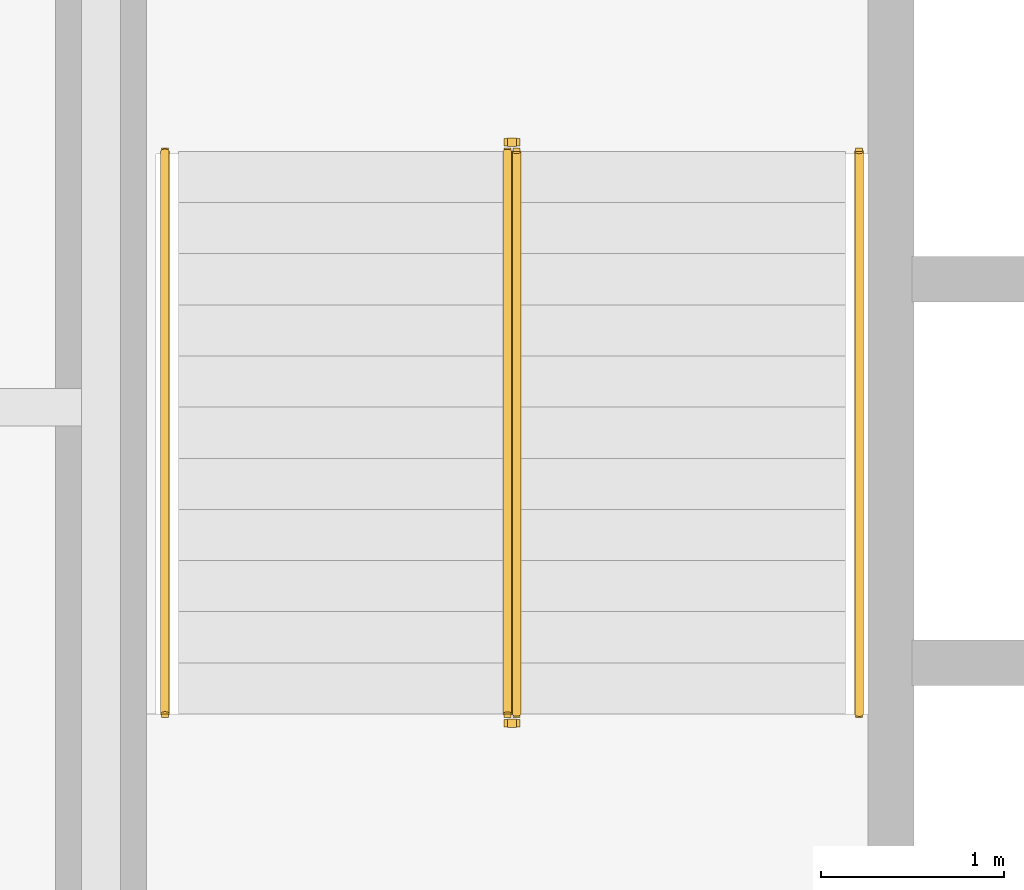
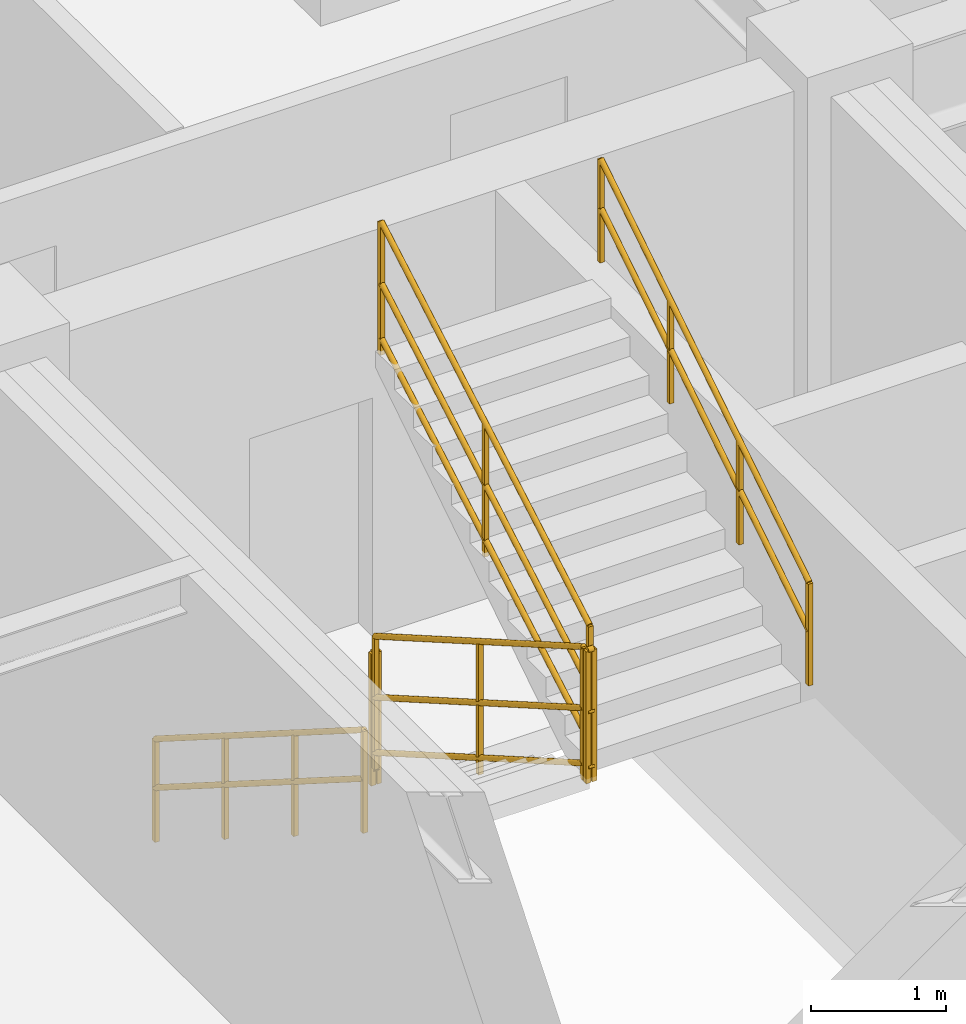
# One storey, part 11 of 11: 6 railings.
"""IFC4 building model written with IfcOpenShell, lengths in metres."""

from ifc_helpers import new_model, entity, si_unit, converted_unit, direction, frame, origin_with_axes, origin_2d_with_axis, place, context, subcontext, project, spatial, rectangle, circle, extrude, material, type_object, element, save


model = new_model("IFC4")

# Units and contexts
model_context = context("Model", 3, precision=1e-05, world=origin_with_axes(), true_north=direction((0.0, 1.0)))
body_context = subcontext(model_context, "Body", "Model", "MODEL_VIEW")
ifc_project = project(units=[si_unit("LENGTHUNIT", "METRE"), si_unit("AREAUNIT", "SQUARE_METRE"), si_unit("VOLUMEUNIT", "CUBIC_METRE"), converted_unit("PLANEANGLEUNIT", "DEGREE", entity("IfcPlaneAngleMeasure", 0.017453292519943295), si_unit("PLANEANGLEUNIT", "RADIAN"), dimensions=[0, 0, 0, 0, 0, 0, 0]), si_unit("MASSUNIT", "GRAM", prefix="KILO"), si_unit("THERMODYNAMICTEMPERATUREUNIT", "KELVIN")], contexts=[model_context])

# Site, building, storey
site_placement = place(None, origin_with_axes())
site = spatial("IfcSite", under=ifc_project, at=site_placement, CompositionType="ELEMENT")
building_placement = place(site_placement, origin_with_axes())
building = spatial("IfcBuilding", under=site, at=building_placement, Name="Varnlund Millrace Tower", CompositionType="ELEMENT")
storey_placement = place(building_placement, frame((0.0, 0.0, 196.5), z_axis=(0.0, 0.0, 1.0), x_axis=(1.0, 0.0, 0.0)))
storey = spatial("IfcBuildingStorey", under=building, at=storey_placement, Name="L48", CompositionType="ELEMENT", Elevation=196.5)

# Railings
ifc_material_1 = material(Name="Painted steel stair well balustrade guard", Category="steel")
railing_type_1 = type_object("IfcRailingType", Name="Type-StairGuard-1150", PredefinedType="GUARDRAIL", material=ifc_material_1)
railing_1_placement = place(storey_placement, frame((0.0, 0.0, -196.5), z_axis=(0.0, 0.0, 1.0), x_axis=(1.0, 0.0, 0.0)))
element("IfcRailing", 1, at=railing_1_placement, inside=storey, type_object=railing_type_1, Name="Type-StairGuard-1150", PredefinedType="GUARDRAIL", context=body_context, shape_type="SweptSolid", body=[
    extrude(circle(Radius=0.024, at=origin_2d_with_axis()), frame((13.625, 35.9, 197.827273), z_axis=(0.0, -0.866696, 0.498836), x_axis=(1.0, 0.0, 0.0)), (0.0, 0.0, 1.0), 3.553725),
    extrude(circle(Radius=0.024, at=origin_2d_with_axis()), frame((13.625, 35.9, 196.777273), z_axis=(0.0, -0.866696, 0.498836), x_axis=(1.0, 0.0, 0.0)), (0.0, 0.0, 1.0), 3.553725),
    extrude(circle(Radius=0.024, at=origin_2d_with_axis()), frame((13.625, 35.9, 197.275273), z_axis=(0.0, -0.866696, 0.498836), x_axis=(1.0, 0.0, 0.0)), (0.0, 0.0, 1.0), 3.553725),
    extrude(rectangle(XDim=0.04, YDim=0.04, at=origin_2d_with_axis()), frame((13.625, 35.9, 196.637273), z_axis=(0.0, 0.0, 1.0), x_axis=(1.0, 0.0, 0.0)), (0.0, 0.0, 1.0), 1.19),
    extrude(rectangle(XDim=0.04, YDim=0.04, at=origin_2d_with_axis()), frame((13.625, 34.36, 197.523637), z_axis=(0.0, 0.0, 1.0), x_axis=(1.0, 0.0, 0.0)), (0.0, 0.0, 1.0), 1.19),
    extrude(rectangle(XDim=0.04, YDim=0.04, at=origin_2d_with_axis()), frame((13.625, 32.82, 198.41), z_axis=(0.0, 0.0, 1.0), x_axis=(1.0, 0.0, 0.0)), (0.0, 0.0, 1.0), 1.19),
])
railing_2_placement = place(storey_placement, frame((0.0, 0.0, -196.5), z_axis=(0.0, 0.0, 1.0), x_axis=(1.0, 0.0, 0.0)))
element("IfcRailing", 2, at=railing_2_placement, inside=storey, type_object=railing_type_1, Name="Type-StairGuard-1150", PredefinedType="GUARDRAIL", context=body_context, shape_type="SweptSolid", body=[
    extrude(circle(Radius=0.024, at=origin_2d_with_axis()), frame((13.675, 32.77, 199.6), z_axis=(-1.0, 0.0, 0.0), x_axis=(0.0, -1.0, 0.0)), (0.0, 0.0, 1.0), 0.05),
    extrude(circle(Radius=0.024, at=origin_2d_with_axis()), frame((13.675, 32.77, 198.55), z_axis=(-1.0, 0.0, 0.0), x_axis=(0.0, -1.0, 0.0)), (0.0, 0.0, 1.0), 0.05),
    extrude(circle(Radius=0.024, at=origin_2d_with_axis()), frame((13.675, 32.77, 199.048), z_axis=(-1.0, 0.0, 0.0), x_axis=(0.0, -1.0, 0.0)), (0.0, 0.0, 1.0), 0.05),
    extrude(rectangle(XDim=0.04, YDim=0.04, at=origin_2d_with_axis()), frame((13.675, 32.77, 198.41), z_axis=(0.0, 0.0, 1.0), x_axis=(1.0, 0.0, 0.0)), (0.0, 0.0, 1.0), 1.19),
    extrude(rectangle(XDim=0.04, YDim=0.04, at=origin_2d_with_axis()), frame((13.625, 32.77, 198.41), z_axis=(0.0, 0.0, 1.0), x_axis=(1.0, 0.0, 0.0)), (0.0, 0.0, 1.0), 1.19),
])
railing_3_placement = place(storey_placement, frame((0.0, 0.0, -196.5), z_axis=(0.0, 0.0, 1.0), x_axis=(1.0, 0.0, 0.0)))
element("IfcRailing", 3, at=railing_3_placement, inside=storey, type_object=railing_type_1, Name="Type-StairGuard-1150", PredefinedType="GUARDRAIL", context=body_context, shape_type="SweptSolid", body=[
    extrude(circle(Radius=0.024, at=origin_2d_with_axis()), frame((13.675, 32.82, 199.777273), z_axis=(0.0, 0.866696, 0.498836), x_axis=(-1.0, 0.0, 0.0)), (0.0, 0.0, 1.0), 3.553725),
    extrude(circle(Radius=0.024, at=origin_2d_with_axis()), frame((13.675, 32.82, 198.727273), z_axis=(0.0, 0.866696, 0.498836), x_axis=(-1.0, 0.0, 0.0)), (0.0, 0.0, 1.0), 3.553725),
    extrude(circle(Radius=0.024, at=origin_2d_with_axis()), frame((13.675, 32.82, 199.225273), z_axis=(0.0, 0.866696, 0.498836), x_axis=(-1.0, 0.0, 0.0)), (0.0, 0.0, 1.0), 3.553725),
    extrude(rectangle(XDim=0.04, YDim=0.04, at=origin_2d_with_axis()), frame((13.675, 32.82, 198.587273), z_axis=(0.0, 0.0, 1.0), x_axis=(1.0, 0.0, 0.0)), (0.0, 0.0, 1.0), 1.19),
    extrude(rectangle(XDim=0.04, YDim=0.04, at=origin_2d_with_axis()), frame((13.675, 34.36, 199.473637), z_axis=(0.0, 0.0, 1.0), x_axis=(1.0, 0.0, 0.0)), (0.0, 0.0, 1.0), 1.19),
    extrude(rectangle(XDim=0.04, YDim=0.04, at=origin_2d_with_axis()), frame((13.675, 35.9, 200.36), z_axis=(0.0, 0.0, 1.0), x_axis=(1.0, 0.0, 0.0)), (0.0, 0.0, 1.0), 1.19),
])
railing_4_placement = place(storey_placement, frame((0.0, 0.0, -196.5), z_axis=(0.0, 0.0, 1.0), x_axis=(1.0, 0.0, 0.0)))
element("IfcRailing", 4, at=railing_4_placement, inside=storey, type_object=railing_type_1, Name="Type-StairGuard-1150", PredefinedType="GUARDRAIL", context=body_context, shape_type="SweptSolid", body=[
    extrude(circle(Radius=0.024, at=origin_2d_with_axis()), frame((13.675, 35.95, 197.65), z_axis=(-1.0, 0.0, 0.0), x_axis=(0.0, -1.0, 0.0)), (0.0, 0.0, 1.0), 0.05),
    extrude(circle(Radius=0.024, at=origin_2d_with_axis()), frame((13.675, 35.95, 196.6), z_axis=(-1.0, 0.0, 0.0), x_axis=(0.0, -1.0, 0.0)), (0.0, 0.0, 1.0), 0.05),
    extrude(circle(Radius=0.024, at=origin_2d_with_axis()), frame((13.675, 35.95, 197.098), z_axis=(-1.0, 0.0, 0.0), x_axis=(0.0, -1.0, 0.0)), (0.0, 0.0, 1.0), 0.05),
    extrude(rectangle(XDim=0.04, YDim=0.04, at=origin_2d_with_axis()), frame((13.675, 35.95, 196.46), z_axis=(0.0, 0.0, 1.0), x_axis=(1.0, 0.0, 0.0)), (0.0, 0.0, 1.0), 1.19),
    extrude(rectangle(XDim=0.04, YDim=0.04, at=origin_2d_with_axis()), frame((13.625, 35.95, 196.46), z_axis=(0.0, 0.0, 1.0), x_axis=(1.0, 0.0, 0.0)), (0.0, 0.0, 1.0), 1.19),
])
ifc_material_2 = material(Name="Brushed architectural bronze stair handrail", Category="aluminium")
railing_type_2 = type_object("IfcRailingType", Name="Type-StairHandrail-900", PredefinedType="HANDRAIL", material=ifc_material_2)
railing_5_placement = place(storey_placement, frame((0.0, 0.0, -196.5), z_axis=(0.0, 0.0, 1.0), x_axis=(1.0, 0.0, 0.0)))
element("IfcRailing", 5, at=railing_5_placement, inside=storey, type_object=railing_type_2, Name="Type-StairHandrail-900", PredefinedType="HANDRAIL", context=body_context, shape_type="SweptSolid", body=[
    extrude(circle(Radius=0.024, at=origin_2d_with_axis()), frame((11.75, 35.9, 197.556995), z_axis=(0.0, -0.844902, 0.534922), x_axis=(1.0, 0.0, 0.0)), (0.0, 0.0, 1.0), 3.645394),
    extrude(circle(Radius=0.024, at=origin_2d_with_axis()), frame((11.75, 35.9, 197.117134), z_axis=(0.0, -0.844902, 0.534922), x_axis=(1.0, 0.0, 0.0)), (0.0, 0.0, 1.0), 3.645394),
    extrude(rectangle(XDim=0.04, YDim=0.04, at=origin_2d_with_axis()), frame((11.75, 35.9, 196.637273), z_axis=(0.0, 0.0, 1.0), x_axis=(1.0, 0.0, 0.0)), (0.0, 0.0, 1.0), 0.919722),
    extrude(rectangle(XDim=0.04, YDim=0.04, at=origin_2d_with_axis()), frame((11.75, 34.873333, 197.287273), z_axis=(0.0, 0.0, 1.0), x_axis=(1.0, 0.0, 0.0)), (0.0, 0.0, 1.0), 0.919722),
    extrude(rectangle(XDim=0.04, YDim=0.04, at=origin_2d_with_axis()), frame((11.75, 33.846667, 197.937273), z_axis=(0.0, 0.0, 1.0), x_axis=(1.0, 0.0, 0.0)), (0.0, 0.0, 1.0), 0.919722),
    extrude(rectangle(XDim=0.04, YDim=0.04, at=origin_2d_with_axis()), frame((11.75, 32.82, 198.587273), z_axis=(0.0, 0.0, 1.0), x_axis=(1.0, 0.0, 0.0)), (0.0, 0.0, 1.0), 0.919722),
])
railing_6_placement = place(storey_placement, frame((0.0, 0.0, -196.5), z_axis=(0.0, 0.0, 1.0), x_axis=(1.0, 0.0, 0.0)))
element("IfcRailing", 6, at=railing_6_placement, inside=storey, type_object=railing_type_2, Name="Type-StairHandrail-900", PredefinedType="HANDRAIL", context=body_context, shape_type="SweptSolid", body=[
    extrude(circle(Radius=0.024, at=origin_2d_with_axis()), frame((15.55, 32.82, 199.506995), z_axis=(0.0, 0.844902, 0.534922), x_axis=(-1.0, 0.0, 0.0)), (0.0, 0.0, 1.0), 3.645394),
    extrude(circle(Radius=0.024, at=origin_2d_with_axis()), frame((15.55, 32.82, 199.067134), z_axis=(0.0, 0.844902, 0.534922), x_axis=(-1.0, 0.0, 0.0)), (0.0, 0.0, 1.0), 3.645394),
    extrude(rectangle(XDim=0.04, YDim=0.04, at=origin_2d_with_axis()), frame((15.55, 32.82, 198.587273), z_axis=(0.0, 0.0, 1.0), x_axis=(1.0, 0.0, 0.0)), (0.0, 0.0, 1.0), 0.919722),
    extrude(rectangle(XDim=0.04, YDim=0.04, at=origin_2d_with_axis()), frame((15.55, 33.846667, 199.237273), z_axis=(0.0, 0.0, 1.0), x_axis=(1.0, 0.0, 0.0)), (0.0, 0.0, 1.0), 0.919722),
    extrude(rectangle(XDim=0.04, YDim=0.04, at=origin_2d_with_axis()), frame((15.55, 34.873333, 199.887273), z_axis=(0.0, 0.0, 1.0), x_axis=(1.0, 0.0, 0.0)), (0.0, 0.0, 1.0), 0.919722),
    extrude(rectangle(XDim=0.04, YDim=0.04, at=origin_2d_with_axis()), frame((15.55, 35.9, 200.537273), z_axis=(0.0, 0.0, 1.0), x_axis=(1.0, 0.0, 0.0)), (0.0, 0.0, 1.0), 0.919722),
])

save(model, "model.ifc")
